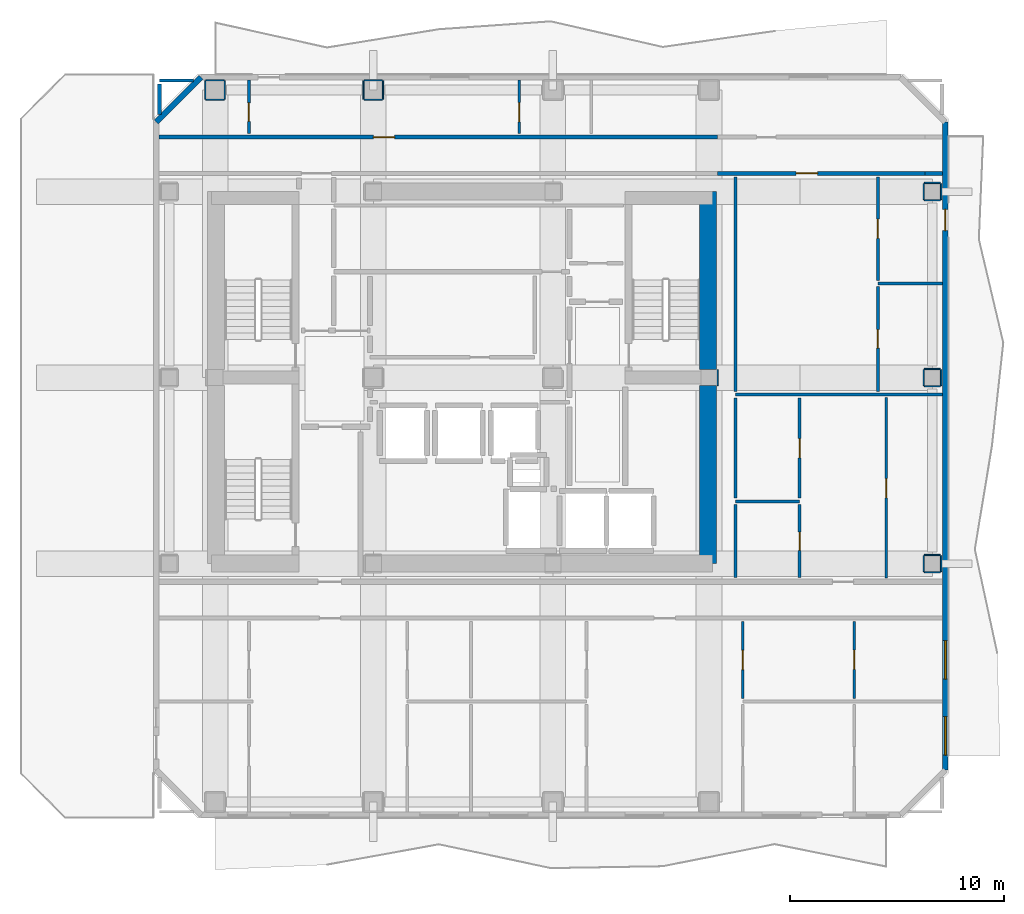
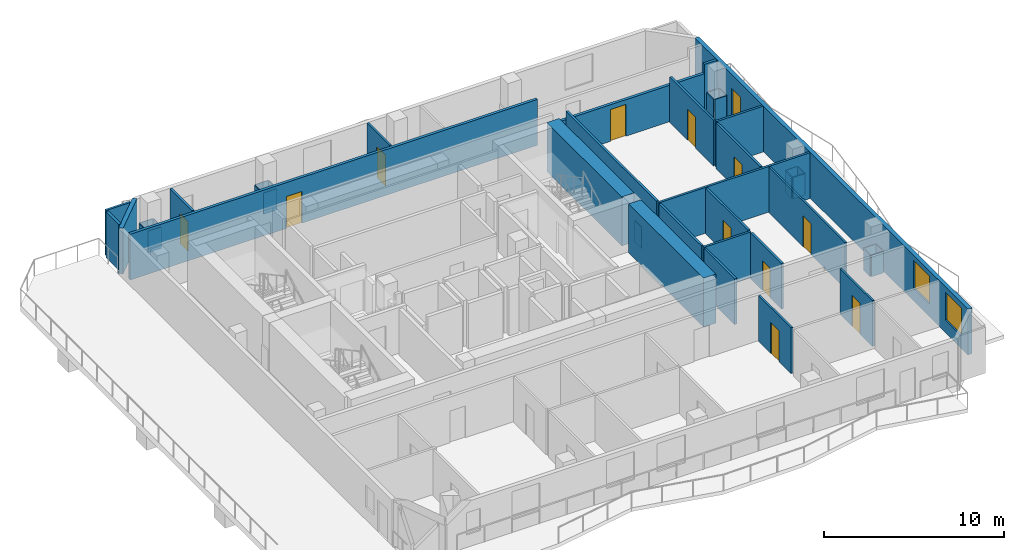
# One storey, part 5 of 10: 45 walls, 12 doors, 2 windows, 14 openings.
"""IFC4 building model written with IfcOpenShell, lengths in metres."""

from ifc_helpers import new_model, si_unit, direction, frame, frame_2d, origin, place, context, subcontext, project, spatial, rectangle, extrude, material, layer, layer_set, type_object, element, fill, save


model = new_model("IFC4")

# Units and contexts
model_context = context("Model", 3, precision=1e-05, world=origin(), true_north=direction((0.0, 1.0)))
body_context = subcontext(model_context, "Body", "Model", "MODEL_VIEW")
ifc_project = project(units=[si_unit("LENGTHUNIT", "METRE"), si_unit("AREAUNIT", "SQUARE_METRE"), si_unit("VOLUMEUNIT", "CUBIC_METRE"), si_unit("PLANEANGLEUNIT", "RADIAN"), si_unit("MASSUNIT", "GRAM", prefix="KILO")], contexts=[model_context])

# Site, building, storey
site_placement = place(None, origin())
site = spatial("IfcSite", under=ifc_project, at=site_placement, CompositionType="ELEMENT")
building_placement = place(site_placement, origin())
building = spatial("IfcBuilding", under=site, at=building_placement, Name="Solanera Arch Residences", CompositionType="ELEMENT")
storey_placement = place(building_placement, frame((0.0, 0.0, 210.080078125)))
storey = spatial("IfcBuildingStorey", under=building, at=storey_placement, Name="L61", CompositionType="ELEMENT", Elevation=210.080078125)

# Walls
ifc_material_1 = material(Name="Fire-Rated Gypsum Stud Partition", Category="gypsum")
ifc_layer_1 = layer(ifc_material_1, 0.06005859375)
ifc_layer_set_1 = layer_set([ifc_layer_1], Name="Fire-Rated Gypsum Stud Partition")
wall_type_1 = type_object("IfcWallType", Name="Column Acoustic Furring Wall 60", PredefinedType="PARTITIONING", material=ifc_layer_set_1)
wall_1_placement = place(storey_placement, frame((36.906982421875, 30.324951171875, 0.0), z_axis=(0.0, 0.0, 1.0), x_axis=(0.0, 1.0, 0.0)))
element("IfcWall", 1, at=wall_1_placement, inside=storey, type_object=wall_type_1, Name="L61 Column Furring 6E", PredefinedType="PARTITIONING", context=body_context, shape_type="SweptSolid", body=[
    extrude(rectangle(XDim=0.75, YDim=0.06005859375, at=frame_2d((0.375, 0.0))), origin(), (0.0, 0.0, 1.0), 1.449951171875),
])
for number, where, z_axis, x_axis, name in (
    (2, (12.97509765625, 43.693115234375, 0.0), (0.0, 0.0, 1.0), (1.0, 0.0, 0.0), "L61 Column Furring 10S"),
    (3, (12.97509765625, 44.60693359375, 0.0), (0.0, 0.0, 1.0), (1.0, 0.0, 0.0), "L61 Column Furring 10N"),
    (4, (12.943115234375, 43.72509765625, 0.0), (0.0, 0.0, 1.0), (0.0, 1.0, 0.0), "L61 Column Furring 10W"),
    (5, (13.85693359375, 43.72509765625, 0.0), (0.0, 0.0, 1.0), (0.0, 1.0, 0.0), "L61 Column Furring 10E"),
):
    element("IfcWall", number, at=place(storey_placement, frame(where, z_axis=z_axis, x_axis=x_axis)), inside=storey, type_object=wall_type_1, Name=name, PredefinedType="PARTITIONING", context=body_context, shape_type="SweptSolid", body=[
        extrude(rectangle(XDim=0.849853515625, YDim=0.06005859375, at=frame_2d((0.4248046875, 0.0))), origin(), (0.0, 0.0, 1.0), 1.449951171875),
    ])
for number, where, z_axis, x_axis, name in (
    (6, (20.375, 43.693115234375, 0.0), (0.0, 0.0, 1.0), (1.0, 0.0, 0.0), "L61 Column Furring 12S"),
    (7, (20.375, 44.60693359375, 0.0), (0.0, 0.0, 1.0), (1.0, 0.0, 0.0), "L61 Column Furring 12N"),
):
    element("IfcWall", number, at=place(storey_placement, frame(where, z_axis=z_axis, x_axis=x_axis)), inside=storey, type_object=wall_type_1, Name=name, PredefinedType="PARTITIONING", context=body_context, shape_type="SweptSolid", body=[
        extrude(rectangle(XDim=0.85009765625, YDim=0.06005859375, at=frame_2d((0.425048828125, 0.0))), origin(), (0.0, 0.0, 1.0), 1.449951171875),
    ])
for number, where, z_axis, x_axis, name in (
    (8, (20.343017578125, 43.72509765625, 0.0), (0.0, 0.0, 1.0), (0.0, 1.0, 0.0), "L61 Column Furring 12W"),
    (9, (21.257080078125, 43.72509765625, 0.0), (0.0, 0.0, 1.0), (0.0, 1.0, 0.0), "L61 Column Furring 12E"),
):
    element("IfcWall", number, at=place(storey_placement, frame(where, z_axis=z_axis, x_axis=x_axis)), inside=storey, type_object=wall_type_1, Name=name, PredefinedType="PARTITIONING", context=body_context, shape_type="SweptSolid", body=[
        extrude(rectangle(XDim=0.849853515625, YDim=0.06005859375, at=frame_2d((0.4248046875, 0.0))), origin(), (0.0, 0.0, 1.0), 1.449951171875),
    ])
for number, where, z_axis, x_axis, name in (
    (10, (46.574951171875, 21.593017578125, 0.0), (0.0, 0.0, 1.0), (1.0, 0.0, 0.0), "L61 Column Furring 18S"),
    (11, (46.574951171875, 22.406982421875, 0.0), (0.0, 0.0, 1.0), (1.0, 0.0, 0.0), "L61 Column Furring 18N"),
    (12, (46.54296875, 21.625, 0.0), (0.0, 0.0, 1.0), (0.0, 1.0, 0.0), "L61 Column Furring 18W"),
    (13, (47.35693359375, 21.625, 0.0), (0.0, 0.0, 1.0), (0.0, 1.0, 0.0), "L61 Column Furring 18E"),
    (14, (46.574951171875, 30.29296875, 0.0), (0.0, 0.0, 1.0), (1.0, 0.0, 0.0), "L61 Column Furring 20S"),
    (15, (46.574951171875, 31.10693359375, 0.0), (0.0, 0.0, 1.0), (1.0, 0.0, 0.0), "L61 Column Furring 20N"),
    (16, (46.54296875, 30.324951171875, 0.0), (0.0, 0.0, 1.0), (0.0, 1.0, 0.0), "L61 Column Furring 20W"),
    (17, (47.35693359375, 30.324951171875, 0.0), (0.0, 0.0, 1.0), (0.0, 1.0, 0.0), "L61 Column Furring 20E"),
    (18, (46.574951171875, 38.992919921875, 0.0), (0.0, 0.0, 1.0), (1.0, 0.0, 0.0), "L61 Column Furring 22S"),
    (19, (46.574951171875, 39.806884765625, 0.0), (0.0, 0.0, 1.0), (1.0, 0.0, 0.0), "L61 Column Furring 22N"),
    (20, (46.54296875, 39.02490234375, 0.0), (0.0, 0.0, 1.0), (0.0, 1.0, 0.0), "L61 Column Furring 22W"),
    (21, (47.35693359375, 39.02490234375, 0.0), (0.0, 0.0, 1.0), (0.0, 1.0, 0.0), "L61 Column Furring 22E"),
):
    element("IfcWall", number, at=place(storey_placement, frame(where, z_axis=z_axis, x_axis=x_axis)), inside=storey, type_object=wall_type_1, Name=name, PredefinedType="PARTITIONING", context=body_context, shape_type="SweptSolid", body=[
        extrude(rectangle(XDim=0.75, YDim=0.06005859375, at=frame_2d((0.375, 0.0))), origin(), (0.0, 0.0, 1.0), 1.449951171875),
    ])
ifc_material_2 = material(Name="Concrete C40/50 (f'c = 45 MPa)", Category="concrete")
ifc_layer_2 = layer(ifc_material_2, 0.800048828125)
ifc_layer_set_2 = layer_set([ifc_layer_2], Name="Concrete C40/50 (f'c = 45 MPa)")
wall_type_2 = type_object("IfcWallType", Name="Core Shear Wall CW-800", PredefinedType="SHEAR", material=ifc_layer_set_2)
wall_2_placement = place(storey_placement, frame((36.4599609375, 22.0, 0.0), z_axis=(0.0, 0.0, 1.0), x_axis=(0.0, 1.0, 0.0)))
element("IfcWall", 22, at=wall_2_placement, inside=storey, type_object=wall_type_2, Name="L61 East Core South Shear Wall", PredefinedType="SHEAR", context=body_context, shape_type="SweptSolid", body=[
    extrude(rectangle(XDim=8.320068359375, YDim=0.800048828125, at=frame_2d((4.16015625, 0.0))), origin(), (0.0, 0.0, 1.0), 3.31982421875),
])
wall_3_placement = place(storey_placement, frame((36.4599609375, 31.080078125, 0.0), z_axis=(0.0, 0.0, 1.0), x_axis=(0.0, 1.0, 0.0)))
element("IfcWall", 23, at=wall_3_placement, inside=storey, type_object=wall_type_2, Name="L61 East Core North Shear Wall", PredefinedType="SHEAR", context=body_context, shape_type="SweptSolid", body=[
    extrude(rectangle(XDim=8.31982421875, YDim=0.800048828125, at=frame_2d((4.159912109375, 0.0))), origin(), (0.0, 0.0, 1.0), 3.31982421875),
])

# Wall, opening, door
ifc_material_3 = material(Name="Autoclaved Aerated Concrete Blockwork", Category="masonry")
ifc_layer_3 = layer(ifc_material_3, 0.179931640625)
ifc_layer_set_3 = layer_set([ifc_layer_3], Name="Autoclaved Aerated Concrete Blockwork")
wall_type_3 = type_object("IfcWallType", Name="Corridor Fire Partition 180", PredefinedType="PARTITIONING", material=ifc_layer_set_3)
wall_4_placement = place(storey_placement, frame((36.888916015625, 40.25, 0.0), z_axis=(0.0, 0.0, 1.0), x_axis=(1.0, 0.0, 0.0)))
wall_4 = element("IfcWall", 24, at=wall_4_placement, inside=storey, type_object=wall_type_3, Name="L61 Interior Partition H11 2", PredefinedType="PARTITIONING", context=body_context, shape_type="SweptSolid", body=[
    extrude(rectangle(XDim=9.72216796875, YDim=0.179931640625, at=frame_2d((4.861083984375, 0.0))), origin(), (0.0, 0.0, 1.0), 2.476806640625),
])
opening_1_placement = place(wall_4_placement, frame((3.68603515625, 0.0, 0.0)))
opening_1 = element("IfcOpeningElement", 25, at=opening_1_placement, cuts=wall_4, Name="Opening DI-01", PredefinedType="OPENING", context=body_context, shape_type="SweptSolid", body=[
    extrude(rectangle(XDim=1.0, YDim=2.14990234375, at=frame_2d((0.5, 1.074951171875))), frame((0.0, 0.10009765625, 0.0), z_axis=(0.0, -1.0, 0.0), x_axis=(1.0, 0.0, 0.0)), (0.0, 0.0, 1.0), 0.1999),
])
ifc_material_4 = material(Name="Fire-Rated Architectural Hardwood", Category="wood")
door_type_1 = type_object("IfcDoorType", Name="Unit Entrance Fire Door DI-01", OperationType="NOTDEFINED", PredefinedType="DOOR", material=ifc_material_4)
door_1_placement = place(opening_1_placement, origin())
door_1 = element("IfcDoor", 26, at=door_1_placement, inside=storey, type_object=door_type_1, Name="DR-L61-IN-034", OperationType="SINGLE_SWING_LEFT", OverallHeight=2.14990234375, OverallWidth=1.0, PredefinedType="DOOR", context=body_context, shape_type="SweptSolid", body=[
    extrude(rectangle(XDim=1.0, YDim=2.14990234375, at=frame_2d((0.5, 1.074951171875))), frame((0.0, 0.02490234375, 0.0), z_axis=(0.0, -1.0, 0.0), x_axis=(1.0, 0.0, 0.0)), (0.0, 0.0, 1.0), 0.050048828125),
])
fill(opening_1, door_1)

# Wall
wall_5_placement = place(storey_placement, frame((46.611083984375, 40.25, 0.0), z_axis=(0.0, 0.0, 1.0), x_axis=(1.0, 0.0, 0.0)))
element("IfcWall", 27, at=wall_5_placement, inside=storey, type_object=wall_type_3, Name="L61 Interior Partition H11 3", PredefinedType="PARTITIONING", context=body_context, shape_type="SweptSolid", body=[
    extrude(rectangle(XDim=0.802001953125, YDim=0.179931640625, at=frame_2d((0.40087890625, 0.0))), origin(), (0.0, 0.0, 1.0), 3.099853515625),
])

# Wall, opening, door
wall_6_placement = place(storey_placement, frame((10.787109375, 41.949951171875, 0.0), z_axis=(0.0, 0.0, 1.0), x_axis=(1.0, 0.0, 0.0)))
wall_6 = element("IfcWall", 28, at=wall_6_placement, inside=storey, type_object=wall_type_3, Name="L61 Interior Partition H12 1", PredefinedType="PARTITIONING", context=body_context, shape_type="SweptSolid", body=[
    extrude(rectangle(XDim=26.101806640625, YDim=0.179931640625, at=frame_2d((13.05078125, 0.0))), origin(), (0.0, 0.0, 1.0), 3.099853515625),
])
opening_2_placement = place(wall_6_placement, frame((10.012939453125, 0.0, 0.0)))
opening_2 = element("IfcOpeningElement", 29, at=opening_2_placement, cuts=wall_6, Name="Opening DI-01", PredefinedType="OPENING", context=body_context, shape_type="SweptSolid", body=[
    extrude(rectangle(XDim=1.0, YDim=2.14990234375, at=frame_2d((0.5, 1.074951171875))), frame((0.0, 0.10009765625, 0.0), z_axis=(0.0, -1.0, 0.0), x_axis=(1.0, 0.0, 0.0)), (0.0, 0.0, 1.0), 0.1999),
])
door_2_placement = place(opening_2_placement, origin())
door_2 = element("IfcDoor", 30, at=door_2_placement, inside=storey, type_object=door_type_1, Name="DR-L61-IN-026", OperationType="SINGLE_SWING_LEFT", OverallHeight=2.14990234375, OverallWidth=1.0, PredefinedType="DOOR", context=body_context, shape_type="SweptSolid", body=[
    extrude(rectangle(XDim=1.0, YDim=2.14990234375, at=frame_2d((0.5, 1.074951171875))), frame((0.0, 0.02490234375, 0.0), z_axis=(0.0, -1.0, 0.0), x_axis=(1.0, 0.0, 0.0)), (0.0, 0.0, 1.0), 0.050048828125),
])
fill(opening_2, door_2)

# Walls
wall_7_placement = place(storey_placement, frame((10.800048828125, 43.010986328125, 0.0), z_axis=(0.0, 0.0, 1.0), x_axis=(0.0, 1.0, 0.0)))
element("IfcWall", 31, at=wall_7_placement, inside=storey, type_object=wall_type_3, Name="L61 Interior Partition V8", PredefinedType="PARTITIONING", context=body_context, shape_type="SweptSolid", body=[
    extrude(rectangle(XDim=1.4208984375, YDim=0.179931640625, at=frame_2d((0.71044921875, 0.0))), origin(), (0.0, 0.0, 1.0), 3.099853515625),
])
ifc_material_5 = material(Name="Precast Concrete C35/45", Category="concrete")
ifc_layer_4 = layer(ifc_material_5, 0.260009765625)
ifc_layer_set_4 = layer_set([ifc_layer_4], Name="Precast Concrete C35/45")
wall_type_4 = type_object("IfcWallType", Name="Exterior Wall Precast Masonry-Frame 260", PredefinedType="STANDARD", material=ifc_layer_set_4)
wall_8_placement = place(storey_placement, frame((10.64501953125, 42.655029296875, 0.0), z_axis=(0.0, 0.0, 1.0), x_axis=(0.707147883682, 0.707065676302, 0.0)))
element("IfcWall", 32, at=wall_8_placement, inside=storey, type_object=wall_type_4, Name="L61 Tower Exterior Precast Masonry-Frame Wall CH1", PredefinedType="STANDARD", context=body_context, shape_type="SweptSolid", body=[
    extrude(rectangle(XDim=2.9697265625, YDim=0.260009765625, at=frame_2d((1.48486328125, 0.0))), origin(), (0.0, 0.0, 1.0), 3.099853515625),
])

# Wall, openings, door, windows
wall_9_placement = place(storey_placement, frame((47.554931640625, 42.655029296875, 0.0), z_axis=(0.0, 0.0, 1.0), x_axis=(0.0, -1.0, 0.0)))
wall_9 = element("IfcWall", 33, at=wall_9_placement, inside=storey, type_object=wall_type_4, Name="L61 Tower Exterior Precast Masonry-Frame Wall E", PredefinedType="STANDARD", context=body_context, shape_type="SweptSolid", body=[
    extrude(rectangle(XDim=30.31005859375, YDim=0.260009765625, at=frame_2d((15.155029296875, 0.0))), origin(), (0.0, 0.0, 1.0), 3.099853515625),
])
opening_3_placement = place(wall_9_placement, frame((4.08203125, 0.0, 0.0)))
opening_3 = element("IfcOpeningElement", 34, at=opening_3_placement, cuts=wall_9, Name="Opening DB-01", PredefinedType="OPENING", context=body_context, shape_type="SweptSolid", body=[
    extrude(rectangle(XDim=1.0, YDim=2.14990234375, at=frame_2d((0.5, 1.074951171875))), frame((0.0, 0.139892578125, 0.0), z_axis=(0.0, -1.0, 0.0), x_axis=(1.0, 0.0, 0.0)), (0.0, 0.0, 1.0), 0.28),
])
opening_4_placement = place(wall_9_placement, frame((24.2509765625, 0.0, 0.85009765625)))
opening_4 = element("IfcOpeningElement", 35, at=opening_4_placement, cuts=wall_9, Name="Opening W-03", PredefinedType="OPENING", context=body_context, shape_type="SweptSolid", body=[
    extrude(rectangle(XDim=1.800048828125, YDim=1.89990234375, at=frame_2d((0.89990234375, 0.949951171875))), frame((0.0, 0.139892578125, 0.0), z_axis=(0.0, -1.0, 0.0), x_axis=(1.0, 0.0, 0.0)), (0.0, 0.0, 1.0), 0.28),
])
opening_5_placement = place(wall_9_placement, frame((27.80810546875, 0.0, 0.85009765625)))
opening_5 = element("IfcOpeningElement", 36, at=opening_5_placement, cuts=wall_9, Name="Opening W-03", PredefinedType="OPENING", context=body_context, shape_type="SweptSolid", body=[
    extrude(rectangle(XDim=1.800048828125, YDim=1.89990234375, at=frame_2d((0.89990234375, 0.949951171875))), frame((0.0, 0.139892578125, 0.0), z_axis=(0.0, -1.0, 0.0), x_axis=(1.0, 0.0, 0.0)), (0.0, 0.0, 1.0), 0.28),
])
ifc_material_6 = material(Name="Anodised Aluminium Alloy 6063-T6", Category="aluminium")
door_type_2 = type_object("IfcDoorType", Name="Glazed Balcony Swing Door DB-01", OperationType="NOTDEFINED", PredefinedType="DOOR", material=ifc_material_6)
door_3_placement = place(opening_3_placement, origin())
door_3 = element("IfcDoor", 37, at=door_3_placement, inside=storey, type_object=door_type_2, Name="DR-L61-OUT-04", OperationType="SINGLE_SWING_RIGHT", OverallHeight=2.14990234375, OverallWidth=1.0, PredefinedType="DOOR", context=body_context, shape_type="SweptSolid", body=[
    extrude(rectangle(XDim=1.0, YDim=2.14990234375, at=frame_2d((0.5, 1.074951171875))), frame((0.0, 0.02490234375, 0.0), z_axis=(0.0, -1.0, 0.0), x_axis=(1.0, 0.0, 0.0)), (0.0, 0.0, 1.0), 0.050048828125),
])
fill(opening_3, door_3)
ifc_material_7 = material(Name="Double Glazed Low-E Laminated Glass", Category="glass")
window_type = type_object("IfcWindowType", Name="Punched Window W-03", PartitioningType="DOUBLE_PANEL_VERTICAL", PredefinedType="WINDOW", material=ifc_material_7)
window_1_placement = place(opening_4_placement, origin())
window_1 = element("IfcWindow", 38, at=window_1_placement, inside=storey, type_object=window_type, Name="L61 6102-STD Punched Window", OverallHeight=1.89990234375, OverallWidth=1.800048828125, PartitioningType="SINGLE_PANEL", PredefinedType="WINDOW", context=body_context, shape_type="SweptSolid", body=[
    extrude(rectangle(XDim=1.800048828125, YDim=1.89990234375, at=frame_2d((0.89990234375, 0.949951171875))), frame((0.0, 0.030029296875, 0.0), z_axis=(0.0, -1.0, 0.0), x_axis=(1.0, 0.0, 0.0)), (0.0, 0.0, 1.0), 0.06005859375),
])
fill(opening_4, window_1)
window_2_placement = place(opening_5_placement, origin())
window_2 = element("IfcWindow", 39, at=window_2_placement, inside=storey, type_object=window_type, Name="L61 6102-BR3 Punched Window", OverallHeight=1.89990234375, OverallWidth=1.800048828125, PartitioningType="SINGLE_PANEL", PredefinedType="WINDOW", context=body_context, shape_type="SweptSolid", body=[
    extrude(rectangle(XDim=1.800048828125, YDim=1.89990234375, at=frame_2d((0.89990234375, 0.949951171875))), frame((0.0, 0.030029296875, 0.0), z_axis=(0.0, -1.0, 0.0), x_axis=(1.0, 0.0, 0.0)), (0.0, 0.0, 1.0), 0.06005859375),
])
fill(opening_5, window_2)

# Wall, opening, door
ifc_material_8 = material(Name="Fire-Rated Gypsum Stud Partition", Category="gypsum")
ifc_layer_5 = layer(ifc_material_8, 0.1201171875)
ifc_layer_set_5 = layer_set([ifc_layer_5], Name="Fire-Rated Gypsum Stud Partition")
wall_type_5 = type_object("IfcWallType", Name="Unit Drywall Partition 120", PredefinedType="PARTITIONING", material=ifc_layer_set_5)
wall_10_placement = place(storey_placement, frame((27.6201171875, 42.10791015625, 0.0), z_axis=(0.0, 0.0, 1.0), x_axis=(0.0, 1.0, 0.0)))
wall_10 = element("IfcWall", 40, at=wall_10_placement, inside=storey, type_object=wall_type_5, Name="L61 Interior Partition V19", PredefinedType="PARTITIONING", context=body_context, shape_type="SweptSolid", body=[
    extrude(rectangle(XDim=2.505126953125, YDim=0.1201171875, at=frame_2d((1.25244140625, 0.0))), origin(), (0.0, 0.0, 1.0), 3.099853515625),
])
opening_6_placement = place(wall_10_placement, frame((0.556884765625, 0.0, 0.0)))
opening_6 = element("IfcOpeningElement", 41, at=opening_6_placement, cuts=wall_10, Name="Opening DI-02", PredefinedType="OPENING", context=body_context, shape_type="SweptSolid", body=[
    extrude(rectangle(XDim=0.89990234375, YDim=2.10009765625, at=frame_2d((0.449951171875, 1.050048828125))), frame((0.0, 0.070068359375, 0.0), z_axis=(0.0, -1.0, 0.0), x_axis=(1.0, 0.0, 0.0)), (0.0, 0.0, 1.0), 0.1401),
])
ifc_material_9 = material(Name="Fire-Rated Architectural Hardwood", Category="wood")
door_type_3 = type_object("IfcDoorType", Name="Suite Room Swing Door DI-02", OperationType="NOTDEFINED", PredefinedType="DOOR", material=ifc_material_9)
door_4_placement = place(opening_6_placement, origin())
door_4 = element("IfcDoor", 42, at=door_4_placement, inside=storey, type_object=door_type_3, Name="DR-L61-IN-028", OperationType="SINGLE_SWING_LEFT", OverallHeight=2.10009765625, OverallWidth=0.89990234375, PredefinedType="DOOR", context=body_context, shape_type="SweptSolid", body=[
    extrude(rectangle(XDim=0.89990234375, YDim=2.10009765625, at=frame_2d((0.449951171875, 1.050048828125))), frame((0.0, 0.02490234375, 0.0), z_axis=(0.0, -1.0, 0.0), x_axis=(1.0, 0.0, 0.0)), (0.0, 0.0, 1.0), 0.050048828125),
])
fill(opening_6, door_4)

wall_11_placement = place(storey_placement, frame((38.080078125, 15.697021484375, 0.0), z_axis=(0.0, 0.0, 1.0), x_axis=(0.0, 1.0, 0.0)))
wall_11 = element("IfcWall", 43, at=wall_11_placement, inside=storey, type_object=wall_type_5, Name="L61 Interior Partition V21 2", PredefinedType="PARTITIONING", context=body_context, shape_type="SweptSolid", body=[
    extrude(rectangle(XDim=3.594970703125, YDim=0.1201171875, at=frame_2d((1.79736328125, 0.0))), origin(), (0.0, 0.0, 1.0), 3.099853515625),
])
opening_7_placement = place(wall_11_placement, frame((1.344970703125, 0.0, 0.0)))
opening_7 = element("IfcOpeningElement", 44, at=opening_7_placement, cuts=wall_11, Name="Opening DI-02", PredefinedType="OPENING", context=body_context, shape_type="SweptSolid", body=[
    extrude(rectangle(XDim=0.89990234375, YDim=2.10009765625, at=frame_2d((0.449951171875, 1.050048828125))), frame((0.0, 0.070068359375, 0.0), z_axis=(0.0, -1.0, 0.0), x_axis=(1.0, 0.0, 0.0)), (0.0, 0.0, 1.0), 0.1401),
])
door_5_placement = place(opening_7_placement, origin())
door_5 = element("IfcDoor", 45, at=door_5_placement, inside=storey, type_object=door_type_3, Name="DR-L61-IN-022", OperationType="SINGLE_SWING_LEFT", OverallHeight=2.10009765625, OverallWidth=0.89990234375, PredefinedType="DOOR", context=body_context, shape_type="SweptSolid", body=[
    extrude(rectangle(XDim=0.89990234375, YDim=2.10009765625, at=frame_2d((0.449951171875, 1.050048828125))), frame((0.0, 0.02490234375, 0.0), z_axis=(0.0, -1.0, 0.0), x_axis=(1.0, 0.0, 0.0)), (0.0, 0.0, 1.0), 0.050048828125),
])
fill(opening_7, door_5)

wall_12_placement = place(storey_placement, frame((43.299072265625, 15.697021484375, 0.0), z_axis=(0.0, 0.0, 1.0), x_axis=(0.0, 1.0, 0.0)))
wall_12 = element("IfcWall", 46, at=wall_12_placement, inside=storey, type_object=wall_type_5, Name="L61 Interior Partition V22 2", PredefinedType="PARTITIONING", context=body_context, shape_type="SweptSolid", body=[
    extrude(rectangle(XDim=3.594970703125, YDim=0.1201171875, at=frame_2d((1.79736328125, 0.0))), origin(), (0.0, 0.0, 1.0), 3.099853515625),
])
opening_8_placement = place(wall_12_placement, frame((1.35791015625, 0.0, 0.0)))
opening_8 = element("IfcOpeningElement", 47, at=opening_8_placement, cuts=wall_12, Name="Opening DI-02", PredefinedType="OPENING", context=body_context, shape_type="SweptSolid", body=[
    extrude(rectangle(XDim=0.89990234375, YDim=2.10009765625, at=frame_2d((0.449951171875, 1.050048828125))), frame((0.0, 0.070068359375, 0.0), z_axis=(0.0, -1.0, 0.0), x_axis=(1.0, 0.0, 0.0)), (0.0, 0.0, 1.0), 0.1401),
])
door_6_placement = place(opening_8_placement, origin())
door_6 = element("IfcDoor", 48, at=door_6_placement, inside=storey, type_object=door_type_3, Name="DR-L61-IN-023", OperationType="SINGLE_SWING_RIGHT", OverallHeight=2.10009765625, OverallWidth=0.89990234375, PredefinedType="DOOR", context=body_context, shape_type="SweptSolid", body=[
    extrude(rectangle(XDim=0.89990234375, YDim=2.10009765625, at=frame_2d((0.449951171875, 1.050048828125))), frame((0.0, 0.02490234375, 0.0), z_axis=(0.0, -1.0, 0.0), x_axis=(1.0, 0.0, 0.0)), (0.0, 0.0, 1.0), 0.050048828125),
])
fill(opening_8, door_6)

wall_13_placement = place(storey_placement, frame((44.794921875, 21.337890625, 0.0), z_axis=(0.0, 0.0, 1.0), x_axis=(0.0, 1.0, 0.0)))
wall_13 = element("IfcWall", 49, at=wall_13_placement, inside=storey, type_object=wall_type_5, Name="L61 Interior Partition V23", PredefinedType="PARTITIONING", context=body_context, shape_type="SweptSolid", body=[
    extrude(rectangle(XDim=8.424072265625, YDim=0.1201171875, at=frame_2d((4.2119140625, 0.0))), origin(), (0.0, 0.0, 1.0), 3.099853515625),
])
opening_9_placement = place(wall_13_placement, frame((3.737060546875, 0.0, 0.0)))
opening_9 = element("IfcOpeningElement", 50, at=opening_9_placement, cuts=wall_13, Name="Opening DI-02", PredefinedType="OPENING", context=body_context, shape_type="SweptSolid", body=[
    extrude(rectangle(XDim=0.89990234375, YDim=2.10009765625, at=frame_2d((0.449951171875, 1.050048828125))), frame((0.0, 0.070068359375, 0.0), z_axis=(0.0, -1.0, 0.0), x_axis=(1.0, 0.0, 0.0)), (0.0, 0.0, 1.0), 0.1401),
])
door_7_placement = place(opening_9_placement, origin())
door_7 = element("IfcDoor", 51, at=door_7_placement, inside=storey, type_object=door_type_3, Name="DR-L61-IN-033", OperationType="SINGLE_SWING_RIGHT", OverallHeight=2.10009765625, OverallWidth=0.89990234375, PredefinedType="DOOR", context=body_context, shape_type="SweptSolid", body=[
    extrude(rectangle(XDim=0.89990234375, YDim=2.10009765625, at=frame_2d((0.449951171875, 1.050048828125))), frame((0.0, 0.02490234375, 0.0), z_axis=(0.0, -1.0, 0.0), x_axis=(1.0, 0.0, 0.0)), (0.0, 0.0, 1.0), 0.050048828125),
])
fill(opening_9, door_7)

# Walls
ifc_material_10 = material(Name="Autoclaved Aerated Concrete Blockwork", Category="masonry")
ifc_layer_6 = layer(ifc_material_10, 0.139892578125)
ifc_layer_set_6 = layer_set([ifc_layer_6], Name="Autoclaved Aerated Concrete Blockwork")
wall_type_6 = type_object("IfcWallType", Name="Wet-Room Partition 140", PredefinedType="PARTITIONING", material=ifc_layer_set_6)
wall_14_placement = place(storey_placement, frame((37.75, 24.912109375, 0.0), z_axis=(0.0, 0.0, 1.0), x_axis=(1.0, 0.0, 0.0)))
element("IfcWall", 52, at=wall_14_placement, inside=storey, type_object=wall_type_6, Name="L61 Interior Partition H16", PredefinedType="PARTITIONING", context=body_context, shape_type="SweptSolid", body=[
    extrude(rectangle(XDim=2.991943359375, YDim=0.139892578125, at=frame_2d((1.49609375, 0.0))), origin(), (0.0, 0.0, 1.0), 3.099853515625),
])
wall_15_placement = place(storey_placement, frame((37.75, 29.89990234375, 0.0), z_axis=(0.0, 0.0, 1.0), x_axis=(1.0, 0.0, 0.0)))
element("IfcWall", 53, at=wall_15_placement, inside=storey, type_object=wall_type_6, Name="L61 Interior Partition H17", PredefinedType="PARTITIONING", context=body_context, shape_type="SweptSolid", body=[
    extrude(rectangle(XDim=9.6630859375, YDim=0.139892578125, at=frame_2d((4.83154296875, 0.0))), origin(), (0.0, 0.0, 1.0), 3.099853515625),
])
wall_16_placement = place(storey_placement, frame((44.39990234375, 35.10009765625, 0.0), z_axis=(0.0, 0.0, 1.0), x_axis=(1.0, 0.0, 0.0)))
element("IfcWall", 54, at=wall_16_placement, inside=storey, type_object=wall_type_6, Name="L61 Interior Partition H18", PredefinedType="PARTITIONING", context=body_context, shape_type="SweptSolid", body=[
    extrude(rectangle(XDim=3.01318359375, YDim=0.139892578125, at=frame_2d((1.506591796875, 0.0))), origin(), (0.0, 0.0, 1.0), 3.099853515625),
])
wall_17_placement = place(storey_placement, frame((10.800048828125, 44.60009765625, 0.0), z_axis=(0.0, 0.0, 1.0), x_axis=(1.0, 0.0, 0.0)))
element("IfcWall", 55, at=wall_17_placement, inside=storey, type_object=wall_type_6, Name="L61 Interior Partition H19 1", PredefinedType="PARTITIONING", context=body_context, shape_type="SweptSolid", body=[
    extrude(rectangle(XDim=1.5888671875, YDim=0.139892578125, at=frame_2d((0.79443359375, 0.0))), origin(), (0.0, 0.0, 1.0), 3.099853515625),
])

# Wall, opening, door
wall_18_placement = place(storey_placement, frame((14.97998046875, 42.117919921875, 0.0), z_axis=(0.0, 0.0, 1.0), x_axis=(0.0, 1.0, 0.0)))
wall_18 = element("IfcWall", 56, at=wall_18_placement, inside=storey, type_object=wall_type_6, Name="L61 Interior Partition V12", PredefinedType="PARTITIONING", context=body_context, shape_type="SweptSolid", body=[
    extrude(rectangle(XDim=2.4951171875, YDim=0.139892578125, at=frame_2d((1.24755859375, 0.0))), origin(), (0.0, 0.0, 1.0), 3.099853515625),
])
opening_10_placement = place(wall_18_placement, frame((0.56689453125, 0.0, 0.0)))
opening_10 = element("IfcOpeningElement", 57, at=opening_10_placement, cuts=wall_18, Name="Opening DI-05", PredefinedType="OPENING", context=body_context, shape_type="SweptSolid", body=[
    extrude(rectangle(XDim=0.860107421875, YDim=2.02001953125, at=frame_2d((0.43017578125, 1.010009765625))), frame((0.0, 0.079833984375, 0.0), z_axis=(0.0, -1.0, 0.0), x_axis=(1.0, 0.0, 0.0)), (0.0, 0.0, 1.0), 0.1599),
])
ifc_material_11 = material(Name="Fire-Rated Architectural Hardwood", Category="wood")
door_type_4 = type_object("IfcDoorType", Name="Bathroom Swing Door DI-05", OperationType="NOTDEFINED", PredefinedType="DOOR", material=ifc_material_11)
door_8_placement = place(opening_10_placement, origin())
door_8 = element("IfcDoor", 58, at=door_8_placement, inside=storey, type_object=door_type_4, Name="DR-L61-IN-027", OperationType="SINGLE_SWING_RIGHT", OverallHeight=2.02001953125, OverallWidth=0.860107421875, PredefinedType="DOOR", context=body_context, shape_type="SweptSolid", body=[
    extrude(rectangle(XDim=0.860107421875, YDim=2.02001953125, at=frame_2d((0.43017578125, 1.010009765625))), frame((0.0, 0.02490234375, 0.0), z_axis=(0.0, -1.0, 0.0), x_axis=(1.0, 0.0, 0.0)), (0.0, 0.0, 1.0), 0.050048828125),
])
fill(opening_10, door_8)

# Walls
wall_19_placement = place(storey_placement, frame((37.75, 21.347900390625, 0.0), z_axis=(0.0, 0.0, 1.0), x_axis=(0.0, 1.0, 0.0)))
element("IfcWall", 59, at=wall_19_placement, inside=storey, type_object=wall_type_6, Name="L61 Interior Partition V15 1", PredefinedType="PARTITIONING", context=body_context, shape_type="SweptSolid", body=[
    extrude(rectangle(XDim=3.416015625, YDim=0.139892578125, at=frame_2d((1.7080078125, 0.0))), origin(), (0.0, 0.0, 1.0), 3.099853515625),
])
wall_20_placement = place(storey_placement, frame((37.75, 25.06005859375, 0.0), z_axis=(0.0, 0.0, 1.0), x_axis=(0.0, 1.0, 0.0)))
element("IfcWall", 60, at=wall_20_placement, inside=storey, type_object=wall_type_6, Name="L61 Interior Partition V15 2", PredefinedType="PARTITIONING", context=body_context, shape_type="SweptSolid", body=[
    extrude(rectangle(XDim=4.69189453125, YDim=0.139892578125, at=frame_2d((2.345947265625, 0.0))), origin(), (0.0, 0.0, 1.0), 3.099853515625),
])
wall_21_placement = place(storey_placement, frame((37.75, 30.048095703125, 0.0), z_axis=(0.0, 0.0, 1.0), x_axis=(0.0, 1.0, 0.0)))
element("IfcWall", 61, at=wall_21_placement, inside=storey, type_object=wall_type_6, Name="L61 Interior Partition V15 3", PredefinedType="PARTITIONING", context=body_context, shape_type="SweptSolid", body=[
    extrude(rectangle(XDim=10.033935546875, YDim=0.139892578125, at=frame_2d((5.01708984375, 0.0))), origin(), (0.0, 0.0, 1.0), 3.099853515625),
])

# Wall, opening, door
wall_22_placement = place(storey_placement, frame((40.741943359375, 21.347900390625, 0.0), z_axis=(0.0, 0.0, 1.0), x_axis=(0.0, 1.0, 0.0)))
wall_22 = element("IfcWall", 62, at=wall_22_placement, inside=storey, type_object=wall_type_6, Name="L61 Interior Partition V16 1", PredefinedType="PARTITIONING", context=body_context, shape_type="SweptSolid", body=[
    extrude(rectangle(XDim=3.416015625, YDim=0.139892578125, at=frame_2d((1.7080078125, 0.0))), origin(), (0.0, 0.0, 1.0), 3.099853515625),
])
opening_11_placement = place(wall_22_placement, frame((1.26611328125, 0.0, 0.0)))
opening_11 = element("IfcOpeningElement", 63, at=opening_11_placement, cuts=wall_22, Name="Opening DI-05", PredefinedType="OPENING", context=body_context, shape_type="SweptSolid", body=[
    extrude(rectangle(XDim=0.860107421875, YDim=2.02001953125, at=frame_2d((0.43017578125, 1.010009765625))), frame((0.0, 0.079833984375, 0.0), z_axis=(0.0, -1.0, 0.0), x_axis=(1.0, 0.0, 0.0)), (0.0, 0.0, 1.0), 0.1599),
])
door_9_placement = place(opening_11_placement, origin())
door_9 = element("IfcDoor", 64, at=door_9_placement, inside=storey, type_object=door_type_4, Name="DR-L61-IN-031", OperationType="SINGLE_SWING_RIGHT", OverallHeight=2.02001953125, OverallWidth=0.860107421875, PredefinedType="DOOR", context=body_context, shape_type="SweptSolid", body=[
    extrude(rectangle(XDim=0.860107421875, YDim=2.02001953125, at=frame_2d((0.43017578125, 1.010009765625))), frame((0.0, 0.02490234375, 0.0), z_axis=(0.0, -1.0, 0.0), x_axis=(1.0, 0.0, 0.0)), (0.0, 0.0, 1.0), 0.050048828125),
])
fill(opening_11, door_9)

wall_23_placement = place(storey_placement, frame((40.741943359375, 25.06005859375, 0.0), z_axis=(0.0, 0.0, 1.0), x_axis=(0.0, 1.0, 0.0)))
wall_23 = element("IfcWall", 65, at=wall_23_placement, inside=storey, type_object=wall_type_6, Name="L61 Interior Partition V16 2", PredefinedType="PARTITIONING", context=body_context, shape_type="SweptSolid", body=[
    extrude(rectangle(XDim=4.69189453125, YDim=0.139892578125, at=frame_2d((2.345947265625, 0.0))), origin(), (0.0, 0.0, 1.0), 3.099853515625),
])
opening_12_placement = place(wall_23_placement, frame((1.883056640625, 0.0, 0.0)))
opening_12 = element("IfcOpeningElement", 66, at=opening_12_placement, cuts=wall_23, Name="Opening DI-03", PredefinedType="OPENING", context=body_context, shape_type="SweptSolid", body=[
    extrude(rectangle(XDim=0.89990234375, YDim=2.10009765625, at=frame_2d((0.449951171875, 1.050048828125))), frame((0.0, 0.079833984375, 0.0), z_axis=(0.0, -1.0, 0.0), x_axis=(1.0, 0.0, 0.0)), (0.0, 0.0, 1.0), 0.1599),
])
ifc_material_12 = material(Name="Fire-Rated Architectural Hardwood", Category="wood")
door_type_5 = type_object("IfcDoorType", Name="Bedroom Swing Door DI-03", OperationType="NOTDEFINED", PredefinedType="DOOR", material=ifc_material_12)
door_10_placement = place(opening_12_placement, origin())
door_10 = element("IfcDoor", 67, at=door_10_placement, inside=storey, type_object=door_type_5, Name="DR-L61-IN-032", OperationType="SINGLE_SWING_LEFT", OverallHeight=2.10009765625, OverallWidth=0.89990234375, PredefinedType="DOOR", context=body_context, shape_type="SweptSolid", body=[
    extrude(rectangle(XDim=0.89990234375, YDim=2.10009765625, at=frame_2d((0.449951171875, 1.050048828125))), frame((0.0, 0.02490234375, 0.0), z_axis=(0.0, -1.0, 0.0), x_axis=(1.0, 0.0, 0.0)), (0.0, 0.0, 1.0), 0.050048828125),
])
fill(opening_12, door_10)

wall_24_placement = place(storey_placement, frame((44.39990234375, 30.048095703125, 0.0), z_axis=(0.0, 0.0, 1.0), x_axis=(0.0, 1.0, 0.0)))
wall_24 = element("IfcWall", 68, at=wall_24_placement, inside=storey, type_object=wall_type_6, Name="L61 Interior Partition V17 1", PredefinedType="PARTITIONING", context=body_context, shape_type="SweptSolid", body=[
    extrude(rectangle(XDim=4.90380859375, YDim=0.139892578125, at=frame_2d((2.451904296875, 0.0))), origin(), (0.0, 0.0, 1.0), 3.099853515625),
])
opening_13_placement = place(wall_24_placement, frame((2.034912109375, 0.0, 0.0)))
opening_13 = element("IfcOpeningElement", 69, at=opening_13_placement, cuts=wall_24, Name="Opening DI-05", PredefinedType="OPENING", context=body_context, shape_type="SweptSolid", body=[
    extrude(rectangle(XDim=0.860107421875, YDim=2.02001953125, at=frame_2d((0.43017578125, 1.010009765625))), frame((0.0, 0.079833984375, 0.0), z_axis=(0.0, -1.0, 0.0), x_axis=(1.0, 0.0, 0.0)), (0.0, 0.0, 1.0), 0.1599),
])
door_11_placement = place(opening_13_placement, origin())
door_11 = element("IfcDoor", 70, at=door_11_placement, inside=storey, type_object=door_type_4, Name="DR-L61-IN-036", OperationType="SINGLE_SWING_LEFT", OverallHeight=2.02001953125, OverallWidth=0.860107421875, PredefinedType="DOOR", context=body_context, shape_type="SweptSolid", body=[
    extrude(rectangle(XDim=0.860107421875, YDim=2.02001953125, at=frame_2d((0.43017578125, 1.010009765625))), frame((0.0, 0.02490234375, 0.0), z_axis=(0.0, -1.0, 0.0), x_axis=(1.0, 0.0, 0.0)), (0.0, 0.0, 1.0), 0.050048828125),
])
fill(opening_13, door_11)

wall_25_placement = place(storey_placement, frame((44.39990234375, 35.248046875, 0.0), z_axis=(0.0, 0.0, 1.0), x_axis=(0.0, 1.0, 0.0)))
wall_25 = element("IfcWall", 71, at=wall_25_placement, inside=storey, type_object=wall_type_6, Name="L61 Interior Partition V17 2", PredefinedType="PARTITIONING", context=body_context, shape_type="SweptSolid", body=[
    extrude(rectangle(XDim=4.833984375, YDim=0.139892578125, at=frame_2d((2.4169921875, 0.0))), origin(), (0.0, 0.0, 1.0), 3.099853515625),
])
opening_14_placement = place(wall_25_placement, frame((1.964111328125, 0.0, 0.0)))
opening_14 = element("IfcOpeningElement", 72, at=opening_14_placement, cuts=wall_25, Name="Opening DI-02", PredefinedType="OPENING", context=body_context, shape_type="SweptSolid", body=[
    extrude(rectangle(XDim=0.89990234375, YDim=2.10009765625, at=frame_2d((0.449951171875, 1.050048828125))), frame((0.0, 0.079833984375, 0.0), z_axis=(0.0, -1.0, 0.0), x_axis=(1.0, 0.0, 0.0)), (0.0, 0.0, 1.0), 0.1599),
])
door_12_placement = place(opening_14_placement, origin())
door_12 = element("IfcDoor", 73, at=door_12_placement, inside=storey, type_object=door_type_3, Name="DR-L61-IN-035", OperationType="SINGLE_SWING_RIGHT", OverallHeight=2.10009765625, OverallWidth=0.89990234375, PredefinedType="DOOR", context=body_context, shape_type="SweptSolid", body=[
    extrude(rectangle(XDim=0.89990234375, YDim=2.10009765625, at=frame_2d((0.449951171875, 1.050048828125))), frame((0.0, 0.02490234375, 0.0), z_axis=(0.0, -1.0, 0.0), x_axis=(1.0, 0.0, 0.0)), (0.0, 0.0, 1.0), 0.050048828125),
])
fill(opening_14, door_12)

save(model, "model.ifc")
